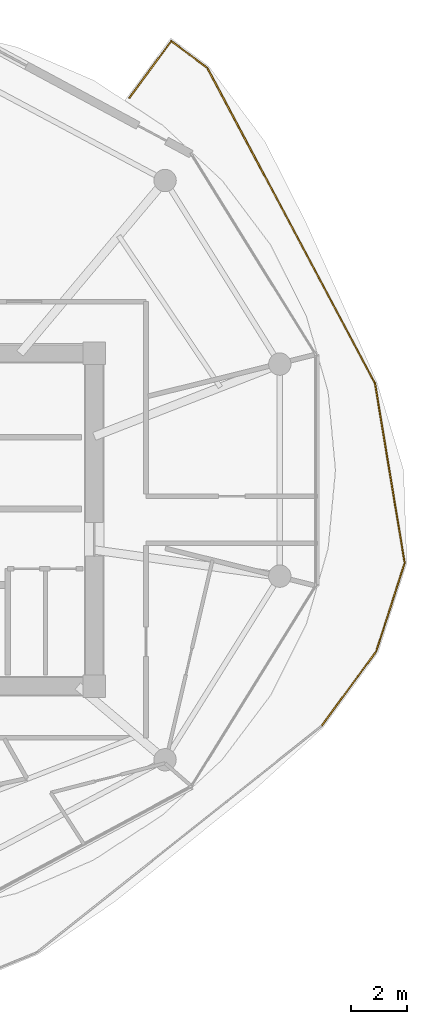
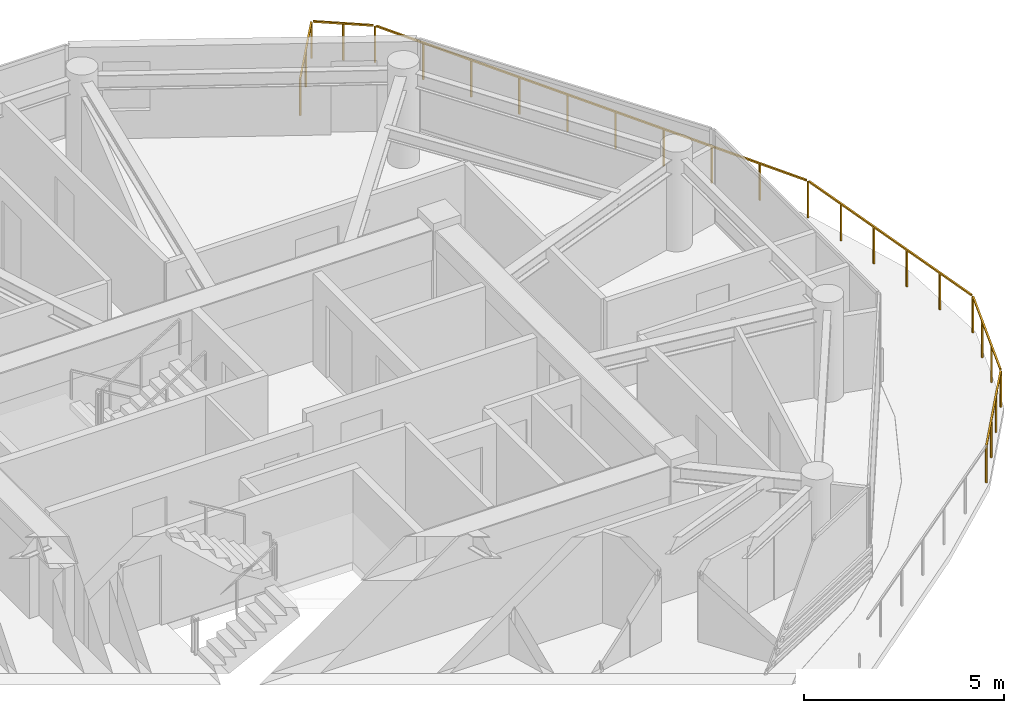
# One storey, part 23 of 23: 1 railing.
"""IFC4 building model written with IfcOpenShell, lengths in metres."""

from ifc_helpers import new_model, si_unit, direction, frame, origin, origin_2d, place, context, subcontext, project, spatial, rectangle, extrude, material, type_object, element, save


model = new_model("IFC4")

# Units and contexts
model_context = context("Model", 3, precision=1e-05, world=origin(), true_north=direction((0.0, 1.0)))
body_context = subcontext(model_context, "Body", "Model", "MODEL_VIEW")
ifc_project = project(units=[si_unit("LENGTHUNIT", "METRE"), si_unit("AREAUNIT", "SQUARE_METRE"), si_unit("VOLUMEUNIT", "CUBIC_METRE"), si_unit("PLANEANGLEUNIT", "RADIAN"), si_unit("MASSUNIT", "GRAM", prefix="KILO")], contexts=[model_context])

# Site, building, storey
site_placement = place(None, origin())
site = spatial("IfcSite", under=ifc_project, at=site_placement, CompositionType="ELEMENT")
building_placement = place(site_placement, origin())
building = spatial("IfcBuilding", under=site, at=building_placement, Name="Norrkilde Senior Care Towers", CompositionType="ELEMENT")
storey_placement = place(building_placement, frame((0.0, 0.0, 164.800048828125)))
storey = spatial("IfcBuildingStorey", under=building, at=storey_placement, Name="L51", CompositionType="ELEMENT", Elevation=164.800048828125)

# Railing
ifc_material = material(Name="Anodised Aluminium", Category="aluminium")
railing_type = type_object("IfcRailingType", Name="Balcony Swirl Ribbon Guardrail 1150", PredefinedType="GUARDRAIL", material=ifc_material)
railing_placement = place(storey_placement, frame((36.90869140625, 15.0966796875, 0.0)))
element("IfcRailing", 1, at=railing_placement, inside=storey, type_object=railing_type, Name="L51 Perimeter Safety Guard 02", PredefinedType="GUARDRAIL", context=body_context, shape_type="SweptSolid", body=[
    extrude(rectangle(XDim=0.048095703125, YDim=0.048095703125, at=origin_2d()), frame((0.0, 0.0, 1.1259765625), z_axis=(0.593946467731, 0.804504563983, 0.0), x_axis=(-0.804504563983, 0.593946467731, 0.0)), (0.0, 0.0, 1.0), 2.476318359375),
    extrude(rectangle(XDim=0.048095703125, YDim=0.048095703125, at=origin_2d()), frame((1.52783203125, 2.000732421875, 1.1259765625), z_axis=(0.802335070026, -0.59687388568, 0.0), x_axis=(0.59687388568, 0.802335070026, 0.0)), (0.0, 0.0, 1.0), 1.52001953125),
    extrude(rectangle(XDim=0.048095703125, YDim=0.048095703125, at=origin_2d()), frame((2.799560546875, 1.032958984375, 1.1259765625), z_axis=(0.469406497174, -0.882982185784, 0.0), x_axis=(0.882982185784, 0.469406497174, 0.0)), (0.0, 0.0, 1.0), 12.70458984375),
    extrude(rectangle(XDim=0.048095703125, YDim=0.048095703125, at=origin_2d()), frame((8.788818359375, -10.26123046875, 1.1259765625), z_axis=(0.163005355054, -0.986625184264, 0.0), x_axis=(0.986625184264, 0.163005355054, 0.0)), (0.0, 0.0, 1.0), 6.424560546875),
    extrude(rectangle(XDim=0.048095703125, YDim=0.048095703125, at=origin_2d()), frame((9.830322265625, -16.678955078125, 1.1259765625), z_axis=(-0.305811477644, -0.952092085957, 0.0), x_axis=(0.952092085957, -0.305811477644, 0.0)), (0.0, 0.0, 1.0), 3.236083984375),
    extrude(rectangle(XDim=0.048095703125, YDim=0.048095703125, at=origin_2d()), frame((8.803955078125, -19.83203125, 1.1259765625), z_axis=(-0.591067517742, -0.806622085905, 0.0), x_axis=(0.806622085905, -0.591067517742, 0.0)), (0.0, 0.0, 1.0), 3.283447265625),
    extrude(rectangle(XDim=0.0419921875, YDim=0.0419921875, at=origin_2d()), origin(), (0.0, 0.0, 1.0), 1.099853515625),
    extrude(rectangle(XDim=0.0419921875, YDim=0.0419921875, at=origin_2d()), frame((0.74755859375, 1.0126953125, 0.0)), (0.0, 0.0, 1.0), 1.099853515625),
    extrude(rectangle(XDim=0.0419921875, YDim=0.0419921875, at=origin_2d()), frame((1.4951171875, 2.025146484375, 0.0)), (0.0, 0.0, 1.0), 1.099853515625),
    extrude(rectangle(XDim=0.0419921875, YDim=0.0419921875, at=origin_2d()), frame((2.1376953125, 1.547119140625, 0.0)), (0.0, 0.0, 1.0), 1.099853515625),
    extrude(rectangle(XDim=0.0419921875, YDim=0.0419921875, at=origin_2d()), frame((2.7802734375, 1.069091796875, 0.0)), (0.0, 0.0, 1.0), 1.099853515625),
    extrude(rectangle(XDim=0.0419921875, YDim=0.0419921875, at=origin_2d()), frame((3.447265625, -0.185302734375, 0.0)), (0.0, 0.0, 1.0), 1.099853515625),
    extrude(rectangle(XDim=0.0419921875, YDim=0.0419921875, at=origin_2d()), frame((4.114013671875, -1.439697265625, 0.0)), (0.0, 0.0, 1.0), 1.099853515625),
    extrude(rectangle(XDim=0.0419921875, YDim=0.0419921875, at=origin_2d()), frame((4.781005859375, -2.6943359375, 0.0)), (0.0, 0.0, 1.0), 1.099853515625),
    extrude(rectangle(XDim=0.0419921875, YDim=0.0419921875, at=origin_2d()), frame((5.44775390625, -3.94873046875, 0.0)), (0.0, 0.0, 1.0), 1.099853515625),
    extrude(rectangle(XDim=0.0419921875, YDim=0.0419921875, at=origin_2d()), frame((6.11474609375, -5.203125, 0.0)), (0.0, 0.0, 1.0), 1.099853515625),
    extrude(rectangle(XDim=0.0419921875, YDim=0.0419921875, at=origin_2d()), frame((6.781494140625, -6.45751953125, 0.0)), (0.0, 0.0, 1.0), 1.099853515625),
    extrude(rectangle(XDim=0.0419921875, YDim=0.0419921875, at=origin_2d()), frame((7.448486328125, -7.712158203125, 0.0)), (0.0, 0.0, 1.0), 1.099853515625),
    extrude(rectangle(XDim=0.0419921875, YDim=0.0419921875, at=origin_2d()), frame((8.115234375, -8.966552734375, 0.0)), (0.0, 0.0, 1.0), 1.099853515625),
    extrude(rectangle(XDim=0.0419921875, YDim=0.0419921875, at=origin_2d()), frame((8.7822265625, -10.220947265625, 0.0)), (0.0, 0.0, 1.0), 1.099853515625),
    extrude(rectangle(XDim=0.0419921875, YDim=0.0419921875, at=origin_2d()), frame((8.994384765625, -11.5048828125, 0.0)), (0.0, 0.0, 1.0), 1.099853515625),
    extrude(rectangle(XDim=0.0419921875, YDim=0.0419921875, at=origin_2d()), frame((9.20654296875, -12.78857421875, 0.0)), (0.0, 0.0, 1.0), 1.099853515625),
    extrude(rectangle(XDim=0.0419921875, YDim=0.0419921875, at=origin_2d()), frame((9.41845703125, -14.072509765625, 0.0)), (0.0, 0.0, 1.0), 1.099853515625),
    extrude(rectangle(XDim=0.0419921875, YDim=0.0419921875, at=origin_2d()), frame((9.630615234375, -15.356201171875, 0.0)), (0.0, 0.0, 1.0), 1.099853515625),
    extrude(rectangle(XDim=0.0419921875, YDim=0.0419921875, at=origin_2d()), frame((9.8427734375, -16.64013671875, 0.0)), (0.0, 0.0, 1.0), 1.099853515625),
    extrude(rectangle(XDim=0.0419921875, YDim=0.0419921875, at=origin_2d()), frame((9.504638671875, -17.693115234375, 0.0)), (0.0, 0.0, 1.0), 1.099853515625),
    extrude(rectangle(XDim=0.0419921875, YDim=0.0419921875, at=origin_2d()), frame((9.166259765625, -18.74609375, 0.0)), (0.0, 0.0, 1.0), 1.099853515625),
    extrude(rectangle(XDim=0.0419921875, YDim=0.0419921875, at=origin_2d()), frame((8.828125, -19.799072265625, 0.0)), (0.0, 0.0, 1.0), 1.099853515625),
    extrude(rectangle(XDim=0.0419921875, YDim=0.0419921875, at=origin_2d()), frame((8.173095703125, -20.69287109375, 0.0)), (0.0, 0.0, 1.0), 1.099853515625),
    extrude(rectangle(XDim=0.0419921875, YDim=0.0419921875, at=origin_2d()), frame((7.518310546875, -21.586669921875, 0.0)), (0.0, 0.0, 1.0), 1.099853515625),
    extrude(rectangle(XDim=0.0419921875, YDim=0.0419921875, at=origin_2d()), frame((6.86328125, -22.48046875, 0.0)), (0.0, 0.0, 1.0), 1.099853515625),
])

save(model, "model.ifc")
